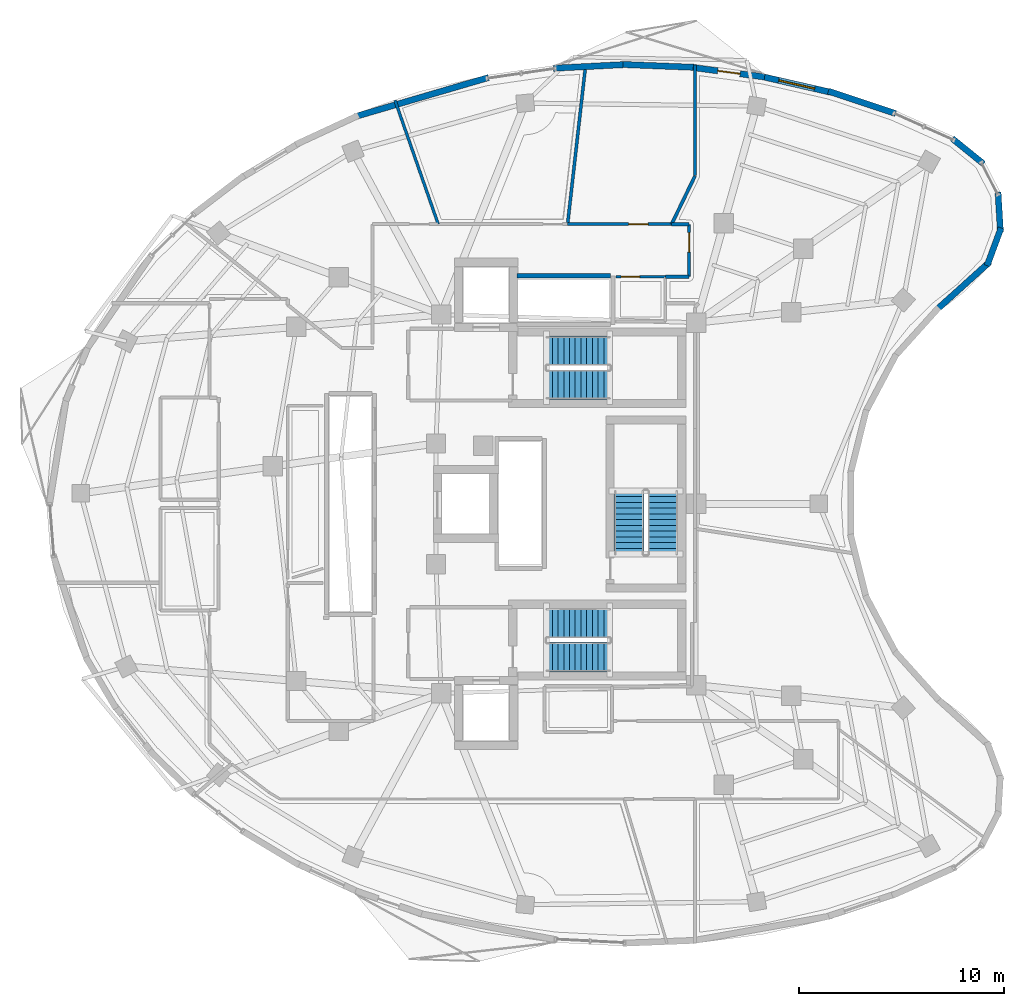
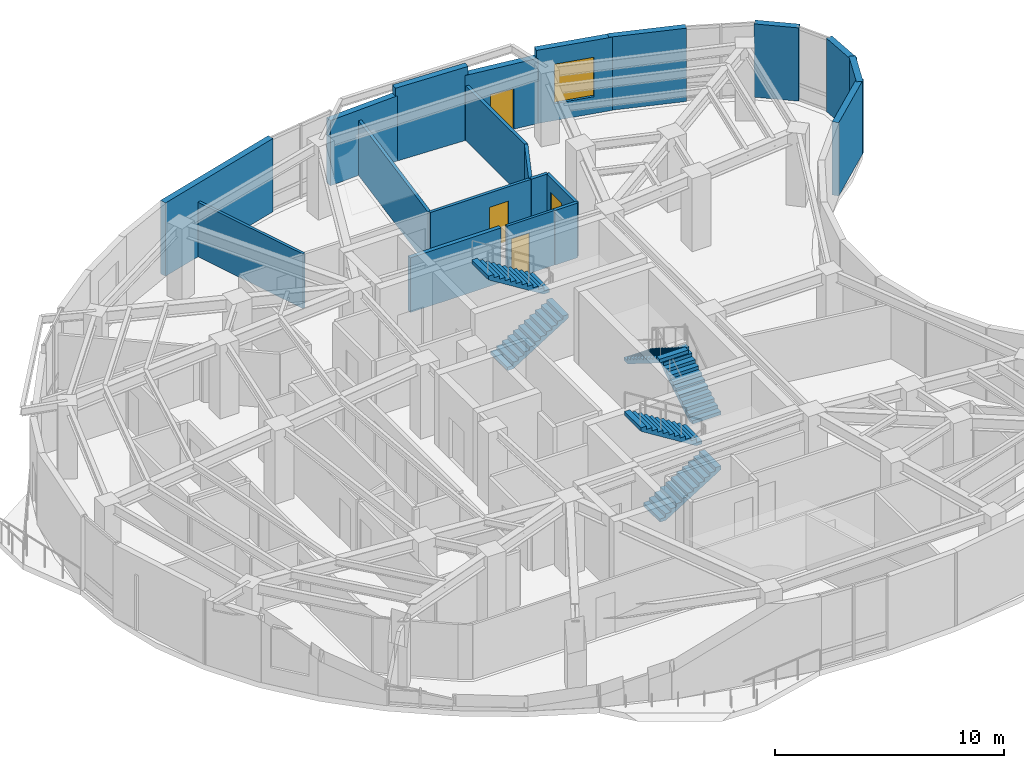
# One storey, part 11 of 14: 20 walls, 6 stair flights, 4 doors, 1 window, 5 openings, 3 elements without a shape of their own.
"""IFC4 building model written with IfcOpenShell, lengths in metres."""

from ifc_helpers import new_model, si_unit, direction, frame, frame_2d, origin, place, context, subcontext, project, spatial, polyline, rectangle, outline, extrude, material, layer, layer_set, type_object, element, fill, aggregate, save


model = new_model("IFC4")

# Units and contexts
model_context = context("Model", 3, precision=1e-05, world=origin(), true_north=direction((0.0, 1.0)))
body_context = subcontext(model_context, "Body", "Model", "MODEL_VIEW")
ifc_project = project(units=[si_unit("LENGTHUNIT", "METRE"), si_unit("AREAUNIT", "SQUARE_METRE"), si_unit("VOLUMEUNIT", "CUBIC_METRE"), si_unit("PLANEANGLEUNIT", "RADIAN"), si_unit("MASSUNIT", "GRAM", prefix="KILO")], contexts=[model_context])

# Site, building, storey
site_placement = place(None, origin())
site = spatial("IfcSite", under=ifc_project, at=site_placement, CompositionType="ELEMENT")
building_placement = place(site_placement, origin())
building = spatial("IfcBuilding", under=site, at=building_placement, Name="Korentha Bioscience Tower", CompositionType="ELEMENT")
storey_placement = place(building_placement, frame((0.0, 0.0, 247.800048828125)))
storey = spatial("IfcBuildingStorey", under=building, at=storey_placement, Name="L57", CompositionType="ELEMENT", Elevation=247.800048828125)

# Wall, opening, door
ifc_material_1 = material(Name="Double-Stud Acoustic Gypsum", Category="gypsum")
ifc_layer_1 = layer(ifc_material_1, 0.14990234375, Name="Double-Stud Acoustic Gypsum")
ifc_layer_set_1 = layer_set([ifc_layer_1], Name="Double-Stud Acoustic Gypsum (IW-L150)")
wall_type_1 = type_object("IfcWallType", Name="Acoustic Laboratory Partition Wall 150", PredefinedType="PARTITIONING", material=ifc_layer_set_1)
wall_1_placement = place(storey_placement, frame((36.34619140625, 40.659912109375, 0.0), z_axis=(0.0, 0.0, 1.0), x_axis=(-1.0, 0.0, 0.0)))
wall_1 = element("IfcWall", 1, at=wall_1_placement, inside=storey, type_object=wall_type_1, Name="L57 Immunology Flow-Cytometry Laboratory 08 Entrance Wall", PredefinedType="PARTITIONING", context=body_context, shape_type="SweptSolid", body=[
    extrude(rectangle(XDim=5.069580078125, YDim=0.14990234375, at=frame_2d((2.53466796875, 0.0))), origin(), (0.0, 0.0, 1.0), 2.909912109375),
])
opening_1_placement = place(wall_1_placement, frame((1.1396484375, 0.0, 0.0)))
opening_1 = element("IfcOpeningElement", 2, at=opening_1_placement, cuts=wall_1, Name="Opening ID-10L", PredefinedType="OPENING", context=body_context, shape_type="SweptSolid", body=[
    extrude(rectangle(XDim=0.949951171875, YDim=2.14990234375, at=frame_2d((0.47509765625, 1.074951171875))), frame((0.0, 0.08984375, 0.0), z_axis=(0.0, -1.0, 0.0), x_axis=(1.0, 0.0, 0.0)), (0.0, 0.0, 1.0), 0.1796875),
])
ifc_material_2 = material(Name="Phenolic Laminate Timber Core", Category="wood")
door_type_1 = type_object("IfcDoorType", Name="Laboratory Single Leaf Door 950x2150 Left", OperationType="SINGLE_SWING_LEFT", PredefinedType="DOOR", material=ifc_material_2)
door_1_placement = place(opening_1_placement, origin())
door_1 = element("IfcDoor", 3, at=door_1_placement, inside=storey, type_object=door_type_1, Name="L57 Immunology Flow-Cytometry Laboratory 08 Door", OperationType="SINGLE_SWING_LEFT", OverallHeight=2.14990234375, OverallWidth=0.949951171875, PredefinedType="DOOR", context=body_context, shape_type="SweptSolid", body=[
    extrude(rectangle(XDim=0.949951171875, YDim=2.14990234375, at=frame_2d((0.47509765625, 1.074951171875))), frame((0.0, 0.02490234375, 0.0), z_axis=(0.0, -1.0, 0.0), x_axis=(1.0, 0.0, 0.0)), (0.0, 0.0, 1.0), 0.050048828125),
])
fill(opening_1, door_1)

# Walls
wall_2_placement = place(storey_placement, frame((31.276611328125, 40.659912109375, 0.0), z_axis=(0.0, 0.0, 1.0), x_axis=(0.112701338023, 0.993628908802, 0.0)))
element("IfcWall", 4, at=wall_2_placement, inside=storey, type_object=wall_type_1, Name="L57 Interior Partition 062", PredefinedType="PARTITIONING", context=body_context, shape_type="SweptSolid", body=[
    extrude(rectangle(XDim=7.861328125, YDim=0.14990234375, at=frame_2d((3.9306640625, 0.0))), origin(), (0.0, 0.0, 1.0), 2.909912109375),
])
ifc_material_3 = material(Name="Insulated Aluminium Honeycomb Panel", Category="aluminium")
ifc_layer_2 = layer(ifc_material_3, 0.139892578125, Name="Insulated Aluminium Honeycomb Panel")
ifc_layer_set_2 = layer_set([ifc_layer_2], Name="Insulated Aluminium Honeycomb Panel (IW-F60)")
wall_type_2 = type_object("IfcWallType", Name="Cleanroom Flush Metal Panel Partition 140", PredefinedType="PARTITIONING", material=ifc_layer_set_2)
wall_3_placement = place(storey_placement, frame((24.958740234375, 40.659912109375, 0.0), z_axis=(0.0, 0.0, 1.0), x_axis=(-0.329537269445, 0.944142567649, 0.0)))
element("IfcWall", 5, at=wall_3_placement, inside=storey, type_object=wall_type_2, Name="L57 Interior Partition 063", PredefinedType="PARTITIONING", context=body_context, shape_type="SweptSolid", body=[
    extrude(rectangle(XDim=6.406982421875, YDim=0.139892578125, at=frame_2d((3.20361328125, 0.0))), origin(), (0.0, 0.0, 1.0), 2.909912109375),
])

# Wall, opening, door
ifc_material_4 = material(Name="Gypsum-Clad Steel Stud", Category="steel")
ifc_layer_3 = layer(ifc_material_4, 0.159912109375, Name="Gypsum-Clad Steel Stud")
ifc_layer_set_3 = layer_set([ifc_layer_3], Name="Gypsum-Clad Steel Stud (IW-C160)")
wall_type_3 = type_object("IfcWallType", Name="Fire-Rated Corridor Partition Wall 160", PredefinedType="PARTITIONING", material=ifc_layer_set_3)
wall_4_placement = place(storey_placement, frame((37.2099609375, 38.10009765625, 0.0), z_axis=(0.0, 0.0, 1.0), x_axis=(0.0, 1.0, 0.0)))
wall_4 = element("IfcWall", 6, at=wall_4_placement, inside=storey, type_object=wall_type_3, Name="L57 Reference Archive Vault 07 Entrance Wall", PredefinedType="PARTITIONING", context=body_context, shape_type="SweptSolid", body=[
    extrude(rectangle(XDim=2.5498046875, YDim=0.159912109375, at=frame_2d((1.27490234375, 0.0))), origin(), (0.0, 0.0, 1.0), 2.909912109375),
])
opening_2_placement = place(wall_4_placement, frame((1.199951171875, 0.0, 0.0)))
opening_2 = element("IfcOpeningElement", 7, at=opening_2_placement, cuts=wall_4, Name="Opening ID-10R", PredefinedType="OPENING", context=body_context, shape_type="SweptSolid", body=[
    extrude(rectangle(XDim=0.949951171875, YDim=2.14990234375, at=frame_2d((0.47509765625, 1.074951171875))), frame((0.0, 0.0947265625, 0.0), z_axis=(0.0, -1.0, 0.0), x_axis=(1.0, 0.0, 0.0)), (0.0, 0.0, 1.0), 0.189697265625),
])
door_type_2 = type_object("IfcDoorType", Name="Laboratory Single Leaf Door 950x2150 Right", OperationType="SINGLE_SWING_RIGHT", PredefinedType="DOOR", material=ifc_material_2)
door_2_placement = place(opening_2_placement, origin())
door_2 = element("IfcDoor", 8, at=door_2_placement, inside=storey, type_object=door_type_2, Name="L57 Reference Archive Vault 07 Door", OperationType="SINGLE_SWING_RIGHT", OverallHeight=2.14990234375, OverallWidth=0.949951171875, PredefinedType="DOOR", context=body_context, shape_type="SweptSolid", body=[
    extrude(rectangle(XDim=0.949951171875, YDim=2.14990234375, at=frame_2d((0.47509765625, 1.074951171875))), frame((0.0, 0.02490234375, 0.0), z_axis=(0.0, -1.0, 0.0), x_axis=(1.0, 0.0, 0.0)), (0.0, 0.0, 1.0), 0.050048828125),
])
fill(opening_2, door_2)

# Walls
wall_5_placement = place(storey_placement, frame((37.501953125, 43.03076171875, 0.0), z_axis=(0.0, 0.0, 1.0), x_axis=(0.0, 1.0, 0.0)))
element("IfcWall", 9, at=wall_5_placement, inside=storey, type_object=wall_type_3, Name="L57 Interior Partition 054", PredefinedType="PARTITIONING", context=body_context, shape_type="SweptSolid", body=[
    extrude(rectangle(XDim=5.402587890625, YDim=0.159912109375, at=frame_2d((2.701171875, 0.0))), origin(), (0.0, 0.0, 1.0), 2.909912109375),
])
wall_6_placement = place(storey_placement, frame((36.06005859375, 38.090087890625, 0.0), z_axis=(0.0, 0.0, 1.0), x_axis=(1.0, 0.0, 0.0)))
element("IfcWall", 10, at=wall_6_placement, inside=storey, type_object=wall_type_3, Name="L57 Interior Partition 059", PredefinedType="PARTITIONING", context=body_context, shape_type="SweptSolid", body=[
    extrude(rectangle(XDim=1.139892578125, YDim=0.159912109375, at=frame_2d((0.56982421875, 0.0))), origin(), (0.0, 0.0, 1.0), 2.909912109375),
])
wall_7_placement = place(storey_placement, frame((37.199951171875, 40.659912109375, 0.0), z_axis=(0.0, 0.0, 1.0), x_axis=(-1.0, 0.0, 0.0)))
element("IfcWall", 11, at=wall_7_placement, inside=storey, type_object=wall_type_3, Name="L57 Interior Partition 060", PredefinedType="PARTITIONING", context=body_context, shape_type="SweptSolid", body=[
    extrude(rectangle(XDim=0.84375, YDim=0.159912109375, at=frame_2d((0.421875, 0.0))), origin(), (0.0, 0.0, 1.0), 2.909912109375),
])
wall_8_placement = place(storey_placement, frame((36.356201171875, 40.659912109375, 0.0), z_axis=(0.0, 0.0, 1.0), x_axis=(0.436465870706, 0.899720814314, 0.0)))
element("IfcWall", 12, at=wall_8_placement, inside=storey, type_object=wall_type_3, Name="L57 Interior Partition 061", PredefinedType="PARTITIONING", context=body_context, shape_type="SweptSolid", body=[
    extrude(rectangle(XDim=2.615478515625, YDim=0.159912109375, at=frame_2d((1.3076171875, 0.0))), origin(), (0.0, 0.0, 1.0), 2.909912109375),
])

# Wall, opening, window
ifc_material_5 = material(Name="Honed Limestone Precast Concrete C40", Category="masonry")
ifc_layer_4 = layer(ifc_material_5, 0.300048828125, Name="Honed Limestone Precast Concrete C40")
ifc_layer_set_4 = layer_set([ifc_layer_4], Name="Honed Limestone Precast Concrete C40 (EW-ST300)")
wall_type_4 = type_object("IfcWallType", Name="Honed Limestone Cavity Spandrel Wall 300", PredefinedType="STANDARD", material=ifc_layer_set_4)
wall_9_placement = place(storey_placement, frame((44.15478515625, 47.093505859375, 0.0), z_axis=(0.0, 0.0, 1.0), x_axis=(-0.974814062394, 0.223019155589, 0.0)))
wall_9 = element("IfcWall", 13, at=wall_9_placement, inside=storey, type_object=wall_type_4, Name="L57 Honed Limestone Spandrel Wall 03", PredefinedType="STANDARD", context=body_context, shape_type="SweptSolid", body=[
    extrude(rectangle(XDim=3.47900390625, YDim=0.300048828125, at=frame_2d((1.739501953125, 0.0))), origin(), (0.0, 0.0, 1.0), 3.89990234375),
])
opening_3_placement = place(wall_9_placement, frame((0.83935546875, 0.0, 0.89990234375)))
opening_3 = element("IfcOpeningElement", 14, at=opening_3_placement, cuts=wall_9, Name="Opening WN-01", PredefinedType="OPENING", context=body_context, shape_type="SweptSolid", body=[
    extrude(rectangle(XDim=1.800048828125, YDim=2.10009765625, at=frame_2d((0.89990234375, 1.050048828125))), frame((0.0, 0.1650390625, 0.0), z_axis=(0.0, -1.0, 0.0), x_axis=(1.0, 0.0, 0.0)), (0.0, 0.0, 1.0), 0.329833984375),
])
ifc_material_6 = material(Name="Thermally Broken Aluminium Triple Glazing", Category="aluminium")
window_type = type_object("IfcWindowType", Name="Triple-Glazed Fixed Bioscience Window 1800x2100", PartitioningType="SINGLE_PANEL", PredefinedType="WINDOW", material=ifc_material_6)
window_placement = place(opening_3_placement, origin())
window = element("IfcWindow", 15, at=window_placement, inside=storey, type_object=window_type, Name="L57 Facade Window 03", OverallHeight=2.10009765625, OverallWidth=1.800048828125, PartitioningType="SINGLE_PANEL", PredefinedType="WINDOW", context=body_context, shape_type="SweptSolid", body=[
    extrude(rectangle(XDim=1.800048828125, YDim=2.10009765625, at=frame_2d((0.89990234375, 1.050048828125))), frame((0.0, 0.030029296875, 0.0), z_axis=(0.0, -1.0, 0.0), x_axis=(1.0, 0.0, 0.0)), (0.0, 0.0, 1.0), 0.06005859375),
])
fill(opening_3, window)

# Wall, opening, door
wall_10_placement = place(storey_placement, frame((40.89599609375, 47.845458984375, 0.0), z_axis=(0.0, 0.0, 1.0), x_axis=(-0.991363126073, 0.131145538481, 0.0)))
wall_10 = element("IfcWall", 16, at=wall_10_placement, inside=storey, type_object=wall_type_4, Name="L57 Balcony Threshold Wall 01", PredefinedType="STANDARD", context=body_context, shape_type="SweptSolid", body=[
    extrude(rectangle(XDim=3.518310546875, YDim=0.300048828125, at=frame_2d((1.75927734375, 0.0))), origin(), (0.0, 0.0, 1.0), 3.469970703125),
])
opening_4_placement = place(wall_10_placement, frame((1.209228515625, 0.0, 0.0)))
opening_4 = element("IfcOpeningElement", 17, at=opening_4_placement, cuts=wall_10, Name="Opening BD-11L", PredefinedType="OPENING", context=body_context, shape_type="SweptSolid", body=[
    extrude(rectangle(XDim=1.10009765625, YDim=2.14990234375, at=frame_2d((0.550048828125, 1.074951171875))), frame((0.0, 0.1650390625, 0.0), z_axis=(0.0, -1.0, 0.0), x_axis=(1.0, 0.0, 0.0)), (0.0, 0.0, 1.0), 0.329833984375),
])
ifc_material_7 = material(Name="Thermally Broken Glazed Aluminium", Category="aluminium")
door_type_3 = type_object("IfcDoorType", Name="Balcony Terrace Glazed Door 1100x2150 Left", OperationType="SINGLE_SWING_LEFT", PredefinedType="DOOR", material=ifc_material_7)
door_3_placement = place(opening_4_placement, origin())
door_3 = element("IfcDoor", 18, at=door_3_placement, inside=storey, type_object=door_type_3, Name="L57 Balcony Access Door 01", OperationType="SINGLE_SWING_LEFT", OverallHeight=2.14990234375, OverallWidth=1.10009765625, PredefinedType="DOOR", context=body_context, shape_type="SweptSolid", body=[
    extrude(rectangle(XDim=1.10009765625, YDim=2.14990234375, at=frame_2d((0.550048828125, 1.074951171875))), frame((0.0, 0.02490234375, 0.0), z_axis=(0.0, -1.0, 0.0), x_axis=(1.0, 0.0, 0.0)), (0.0, 0.0, 1.0), 0.050048828125),
])
fill(opening_4, door_3)

# Walls
wall_11_placement = place(storey_placement, frame((47.2958984375, 46.063232421875, 0.0), z_axis=(0.0, 0.0, 1.0), x_axis=(-0.948915825892, 0.315529325692, 0.0)))
element("IfcWall", 19, at=wall_11_placement, inside=storey, type_object=wall_type_4, Name="L57 Limestone Perimeter Closure Wall 02", PredefinedType="STANDARD", context=body_context, shape_type="SweptSolid", body=[
    extrude(rectangle(XDim=3.4609375, YDim=0.300048828125, at=frame_2d((1.73046875, 0.0))), origin(), (0.0, 0.0, 1.0), 3.89990234375),
])
wall_12_placement = place(storey_placement, frame((37.56298828125, 48.314453125, 0.0), z_axis=(0.0, 0.0, 1.0), x_axis=(-0.999208461954, 0.039780014567, 0.0)))
element("IfcWall", 20, at=wall_12_placement, inside=storey, type_object=wall_type_4, Name="L57 Limestone Perimeter Closure Wall 05", PredefinedType="STANDARD", context=body_context, shape_type="SweptSolid", body=[
    extrude(rectangle(XDim=3.578125, YDim=0.300048828125, at=frame_2d((1.7890625, 0.0))), origin(), (0.0, 0.0, 1.0), 3.89990234375),
])
wall_13_placement = place(storey_placement, frame((34.160400390625, 48.457763671875, 0.0), z_axis=(0.0, 0.0, 1.0), x_axis=(-0.998671230657, -0.051534193093, 0.0)))
element("IfcWall", 21, at=wall_13_placement, inside=storey, type_object=wall_type_4, Name="L57 Limestone Perimeter Closure Wall 06", PredefinedType="STANDARD", context=body_context, shape_type="SweptSolid", body=[
    extrude(rectangle(XDim=3.57666015625, YDim=0.300048828125, at=frame_2d((1.788330078125, 0.0))), origin(), (0.0, 0.0, 1.0), 3.469970703125),
])
wall_14_placement = place(storey_placement, frame((27.417724609375, 47.8203125, 0.0), z_axis=(0.0, 0.0, 1.0), x_axis=(-0.959675502853, -0.281110172749, 0.0)))
element("IfcWall", 22, at=wall_14_placement, inside=storey, type_object=wall_type_4, Name="L57 Limestone Perimeter Closure Wall 08", PredefinedType="STANDARD", context=body_context, shape_type="SweptSolid", body=[
    extrude(rectangle(XDim=6.796875, YDim=0.300048828125, at=frame_2d((3.3984375, 0.0))), origin(), (0.0, 0.0, 1.0), 3.89990234375),
])
wall_15_placement = place(storey_placement, frame((49.299560546875, 36.48388671875, 0.0), z_axis=(0.0, 0.0, 1.0), x_axis=(0.742603888691, 0.669730889612, 0.0)))
element("IfcWall", 23, at=wall_15_placement, inside=storey, type_object=wall_type_4, Name="L57 Limestone Perimeter Closure Wall 57", PredefinedType="STANDARD", context=body_context, shape_type="SweptSolid", body=[
    extrude(rectangle(XDim=3.484130859375, YDim=0.300048828125, at=frame_2d((1.7421875, 0.0))), origin(), (0.0, 0.0, 1.0), 3.89990234375),
])
for number, where, z_axis, x_axis, name in (
    (24, (51.76220703125, 38.633544921875, 0.0), (0.0, 0.0, 1.0), (0.347476023118, 0.9376888681, 0.0), "L57 Limestone Perimeter Closure Wall 59"),
    (25, (52.414306640625, 40.26611328125, 0.0), (0.0, 0.0, 1.0), (-0.060191547909, 0.998186845015, 0.0), "L57 Limestone Perimeter Closure Wall 60"),
):
    element("IfcWall", number, at=place(storey_placement, frame(where, z_axis=z_axis, x_axis=x_axis)), inside=storey, type_object=wall_type_4, Name=name, PredefinedType="STANDARD", context=body_context, shape_type="SweptSolid", body=[
        extrude(rectangle(XDim=1.96728515625, YDim=0.300048828125, at=frame_2d((0.983642578125, 0.0))), origin(), (0.0, 0.0, 1.0), 3.89990234375),
    ])
wall_16_placement = place(storey_placement, frame((51.587890625, 43.606201171875, 0.0), z_axis=(0.0, 0.0, 1.0), x_axis=(-0.777308452477, 0.629119678366, 0.0)))
element("IfcWall", 26, at=wall_16_placement, inside=storey, type_object=wall_type_4, Name="L57 Limestone Perimeter Closure Wall 62", PredefinedType="STANDARD", context=body_context, shape_type="SweptSolid", body=[
    extrude(rectangle(XDim=1.967041015625, YDim=0.300048828125, at=frame_2d((0.9833984375, 0.0))), origin(), (0.0, 0.0, 1.0), 3.89990234375),
])
ifc_material_8 = material(Name="Autoclaved Aerated Concrete Block C25", Category="concrete")
ifc_layer_5 = layer(ifc_material_8, 0.199951171875, Name="Autoclaved Aerated Concrete Block C25")
ifc_layer_set_5 = layer_set([ifc_layer_5], Name="Autoclaved Aerated Concrete Block C25 (IW-S200)")
wall_type_5 = type_object("IfcWallType", Name="Lift and Riser Shaft Enclosure Wall 200", PredefinedType="PARTITIONING", material=ifc_layer_set_5)
wall_17_placement = place(storey_placement, frame((28.800048828125, 38.139892578125, 0.0), z_axis=(0.0, 0.0, 1.0), x_axis=(1.0, 0.0, 0.0)))
element("IfcWall", 27, at=wall_17_placement, inside=storey, type_object=wall_type_5, Name="L57 Lift Bank OBS Shaft Wall +Y", PredefinedType="PARTITIONING", context=body_context, shape_type="SweptSolid", body=[
    extrude(rectangle(XDim=4.570068359375, YDim=0.199951171875, at=frame_2d((2.28515625, 0.0))), origin(), (0.0, 0.0, 1.0), 2.909912109375),
])

# Wall, opening, door
ifc_material_9 = material(Name="Cement-Board Steel Stud", Category="steel")
ifc_layer_6 = layer(ifc_material_9, 0.1298828125, Name="Cement-Board Steel Stud")
ifc_layer_set_6 = layer_set([ifc_layer_6], Name="Cement-Board Steel Stud (IW-W130)")
wall_type_6 = type_object("IfcWallType", Name="Wet-Area Moisture-Resistant Partition 130", PredefinedType="PARTITIONING", material=ifc_layer_set_6)
wall_18_placement = place(storey_placement, frame((33.64990234375, 38.090087890625, 0.0), z_axis=(0.0, 0.0, 1.0), x_axis=(1.0, 0.0, 0.0)))
wall_18 = element("IfcWall", 28, at=wall_18_placement, inside=storey, type_object=wall_type_6, Name="L57 Accessible Staff WC Entrance Wall", PredefinedType="PARTITIONING", context=body_context, shape_type="SweptSolid", body=[
    extrude(rectangle(XDim=2.400146484375, YDim=0.1298828125, at=frame_2d((1.2001953125, 0.0))), origin(), (0.0, 0.0, 1.0), 2.909912109375),
])
opening_5_placement = place(wall_18_placement, frame((0.239990234375, 0.0, 0.0)))
opening_5 = element("IfcOpeningElement", 29, at=opening_5_placement, cuts=wall_18, Name="Opening ID-09L", PredefinedType="OPENING", context=body_context, shape_type="SweptSolid", body=[
    extrude(rectangle(XDim=0.89990234375, YDim=2.14990234375, at=frame_2d((0.449951171875, 1.074951171875))), frame((0.0, 0.079833984375, 0.0), z_axis=(0.0, -1.0, 0.0), x_axis=(1.0, 0.0, 0.0)), (0.0, 0.0, 1.0), 0.15966796875),
])
ifc_material_10 = material(Name="Moisture-Resistant HPL Leaf", Category="wood")
door_type_4 = type_object("IfcDoorType", Name="Restroom & Accessible WC Door 900x2150 Left", OperationType="SINGLE_SWING_LEFT", PredefinedType="DOOR", material=ifc_material_10)
door_4_placement = place(opening_5_placement, origin())
door_4 = element("IfcDoor", 30, at=door_4_placement, inside=storey, type_object=door_type_4, Name="L57 Accessible Staff WC Door", OperationType="SINGLE_SWING_LEFT", OverallHeight=2.14990234375, OverallWidth=0.89990234375, PredefinedType="DOOR", context=body_context, shape_type="SweptSolid", body=[
    extrude(rectangle(XDim=0.89990234375, YDim=2.14990234375, at=frame_2d((0.449951171875, 1.074951171875))), frame((0.0, 0.02490234375, 0.0), z_axis=(0.0, -1.0, 0.0), x_axis=(1.0, 0.0, 0.0)), (0.0, 0.0, 1.0), 0.050048828125),
])
fill(opening_5, door_4)

# Stair, stair flights
ifc_material_11 = material(Name="Precast Concrete C50", Category="concrete")
stair_type = type_object("IfcStairType", Name="Core Exit Dog-Leg Stair 1450", PredefinedType="HALF_TURN_STAIR", material=ifc_material_11)
stair_1_placement = place(storey_placement, origin())
stair_1 = element("IfcStair", 31, at=stair_1_placement, inside=storey, type_object=stair_type, Name="L57 Tower North Pressurized Exit Stair ST-1", PredefinedType="HALF_TURN_STAIR")
stair_flight_type = type_object("IfcStairFlightType", Name="Core Exit Dog-Leg Stair 1450 Flight", PredefinedType="STRAIGHT", material=ifc_material_11)
stair_flight_1_placement = place(storey_placement, frame((30.25, 32.824951171875, 0.0), z_axis=(0.0, 0.0, 1.0), x_axis=(1.0, 0.0, 0.0)))
stair_flight_1 = element("IfcStairFlight", 32, at=stair_flight_1_placement, type_object=stair_flight_type, Name="ST-1 flight 1", NumberOfRisers=12, NumberOfTreads=11, PredefinedType="STRAIGHT", RiserHeight=0.175, TreadLength=0.28, context=body_context, shape_type="SweptSolid", body=[
    extrude(outline(polyline([(0.0, 0.0), (0.0, 0.175048828125), (0.280029296875, 0.175048828125), (0.280029296875, 0.35009765625), (0.56005859375, 0.35009765625), (0.56005859375, 0.52490234375), (0.840087890625, 0.52490234375), (0.840087890625, 0.699951171875), (1.1201171875, 0.699951171875), (1.1201171875, 0.875), (1.39990234375, 0.875), (1.39990234375, 1.050048828125), (1.679931640625, 1.050048828125), (1.679931640625, 1.22509765625), (1.9599609375, 1.22509765625), (1.9599609375, 1.39990234375), (2.239990234375, 1.39990234375), (2.239990234375, 1.574951171875), (2.52001953125, 1.574951171875), (2.52001953125, 1.75), (2.800048828125, 1.75), (2.800048828125, 1.925048828125), (3.080078125, 1.925048828125), (3.080078125, 2.10009765625), (3.080078125, 1.736328125), (0.3017578125, 0.0), (0.0, 0.0)])), frame((0.0, 0.72509765625, 0.0), z_axis=(0.0, -1.0, 0.0), x_axis=(1.0, 0.0, 0.0)), (0.0, 0.0, 1.0), 1.449951171875),
])
stair_flight_2_placement = place(storey_placement, frame((33.330078125, 34.47509765625, 2.099853515625), z_axis=(0.0, 0.0, 1.0), x_axis=(-1.0, 0.0, 0.0)))
stair_flight_2 = element("IfcStairFlight", 33, at=stair_flight_2_placement, type_object=stair_flight_type, Name="ST-1 flight 2", NumberOfRisers=12, NumberOfTreads=11, PredefinedType="STRAIGHT", RiserHeight=0.175, TreadLength=0.28, context=body_context, shape_type="SweptSolid", body=[
    extrude(outline(polyline([(0.0, 0.0), (0.0, 0.175048828125), (0.280029296875, 0.175048828125), (0.280029296875, 0.35009765625), (0.56005859375, 0.35009765625), (0.56005859375, 0.52490234375), (0.840087890625, 0.52490234375), (0.840087890625, 0.699951171875), (1.1201171875, 0.699951171875), (1.1201171875, 0.875), (1.39990234375, 0.875), (1.39990234375, 1.050048828125), (1.679931640625, 1.050048828125), (1.679931640625, 1.22509765625), (1.9599609375, 1.22509765625), (1.9599609375, 1.39990234375), (2.239990234375, 1.39990234375), (2.239990234375, 1.574951171875), (2.52001953125, 1.574951171875), (2.52001953125, 1.75), (2.800048828125, 1.75), (2.800048828125, 1.925048828125), (3.080078125, 1.925048828125), (3.080078125, 2.10009765625), (3.080078125, 1.736328125), (0.3017578125, 0.0), (0.0, 0.0)])), frame((0.0, 0.72509765625, 0.0), z_axis=(0.0, -1.0, 0.0), x_axis=(1.0, 0.0, 0.0)), (0.0, 0.0, 1.0), 1.449951171875),
])
aggregate(stair_1, [stair_flight_1, stair_flight_2])

stair_2_placement = place(storey_placement, origin())
stair_2 = element("IfcStair", 34, at=stair_2_placement, inside=storey, type_object=stair_type, Name="L57 Tower South Pressurized Exit Stair ST-2", PredefinedType="HALF_TURN_STAIR")
stair_flight_3_placement = place(storey_placement, frame((30.25, 19.52490234375, 0.0), z_axis=(0.0, 0.0, 1.0), x_axis=(1.0, 0.0, 0.0)))
stair_flight_3 = element("IfcStairFlight", 35, at=stair_flight_3_placement, type_object=stair_flight_type, Name="ST-2 flight 1", NumberOfRisers=12, NumberOfTreads=11, PredefinedType="STRAIGHT", RiserHeight=0.175, TreadLength=0.28, context=body_context, shape_type="SweptSolid", body=[
    extrude(outline(polyline([(0.0, 0.0), (0.0, 0.175048828125), (0.280029296875, 0.175048828125), (0.280029296875, 0.35009765625), (0.56005859375, 0.35009765625), (0.56005859375, 0.52490234375), (0.840087890625, 0.52490234375), (0.840087890625, 0.699951171875), (1.1201171875, 0.699951171875), (1.1201171875, 0.875), (1.39990234375, 0.875), (1.39990234375, 1.050048828125), (1.679931640625, 1.050048828125), (1.679931640625, 1.22509765625), (1.9599609375, 1.22509765625), (1.9599609375, 1.39990234375), (2.239990234375, 1.39990234375), (2.239990234375, 1.574951171875), (2.52001953125, 1.574951171875), (2.52001953125, 1.75), (2.800048828125, 1.75), (2.800048828125, 1.925048828125), (3.080078125, 1.925048828125), (3.080078125, 2.10009765625), (3.080078125, 1.736328125), (0.3017578125, 0.0), (0.0, 0.0)])), frame((0.0, 0.72509765625, 0.0), z_axis=(0.0, -1.0, 0.0), x_axis=(1.0, 0.0, 0.0)), (0.0, 0.0, 1.0), 1.449951171875),
])
stair_flight_4_placement = place(storey_placement, frame((33.330078125, 21.175048828125, 2.099853515625), z_axis=(0.0, 0.0, 1.0), x_axis=(-1.0, 0.0, 0.0)))
stair_flight_4 = element("IfcStairFlight", 36, at=stair_flight_4_placement, type_object=stair_flight_type, Name="ST-2 flight 2", NumberOfRisers=12, NumberOfTreads=11, PredefinedType="STRAIGHT", RiserHeight=0.175, TreadLength=0.28, context=body_context, shape_type="SweptSolid", body=[
    extrude(outline(polyline([(0.0, 0.0), (0.0, 0.175048828125), (0.280029296875, 0.175048828125), (0.280029296875, 0.35009765625), (0.56005859375, 0.35009765625), (0.56005859375, 0.52490234375), (0.840087890625, 0.52490234375), (0.840087890625, 0.699951171875), (1.1201171875, 0.699951171875), (1.1201171875, 0.875), (1.39990234375, 0.875), (1.39990234375, 1.050048828125), (1.679931640625, 1.050048828125), (1.679931640625, 1.22509765625), (1.9599609375, 1.22509765625), (1.9599609375, 1.39990234375), (2.239990234375, 1.39990234375), (2.239990234375, 1.574951171875), (2.52001953125, 1.574951171875), (2.52001953125, 1.75), (2.800048828125, 1.75), (2.800048828125, 1.925048828125), (3.080078125, 1.925048828125), (3.080078125, 2.10009765625), (3.080078125, 1.736328125), (0.3017578125, 0.0), (0.0, 0.0)])), frame((0.0, 0.72509765625, 0.0), z_axis=(0.0, -1.0, 0.0), x_axis=(1.0, 0.0, 0.0)), (0.0, 0.0, 1.0), 1.449951171875),
])
aggregate(stair_2, [stair_flight_3, stair_flight_4])

stair_3_placement = place(storey_placement, origin())
stair_3 = element("IfcStair", 37, at=stair_3_placement, inside=storey, type_object=stair_type, Name="L57 Tower Central Pressurized Exit Stair ST-3", PredefinedType="HALF_TURN_STAIR")
stair_flight_5_placement = place(storey_placement, frame((35.925048828125, 24.550048828125, 0.0), z_axis=(0.0, 0.0, 1.0), x_axis=(0.0, 1.0, 0.0)))
stair_flight_5 = element("IfcStairFlight", 38, at=stair_flight_5_placement, type_object=stair_flight_type, Name="ST-3 flight 1", NumberOfRisers=12, NumberOfTreads=11, PredefinedType="STRAIGHT", RiserHeight=0.175, TreadLength=0.28, context=body_context, shape_type="SweptSolid", body=[
    extrude(outline(polyline([(0.0, 0.0), (0.0, 0.175048828125), (0.280029296875, 0.175048828125), (0.280029296875, 0.35009765625), (0.56005859375, 0.35009765625), (0.56005859375, 0.52490234375), (0.840087890625, 0.52490234375), (0.840087890625, 0.699951171875), (1.1201171875, 0.699951171875), (1.1201171875, 0.875), (1.39990234375, 0.875), (1.39990234375, 1.050048828125), (1.679931640625, 1.050048828125), (1.679931640625, 1.22509765625), (1.9599609375, 1.22509765625), (1.9599609375, 1.39990234375), (2.239990234375, 1.39990234375), (2.239990234375, 1.574951171875), (2.52001953125, 1.574951171875), (2.52001953125, 1.75), (2.800048828125, 1.75), (2.800048828125, 1.925048828125), (3.080078125, 1.925048828125), (3.080078125, 2.10009765625), (3.080078125, 1.736328125), (0.3017578125, 0.0), (0.0, 0.0)])), frame((0.0, 0.72509765625, 0.0), z_axis=(0.0, -1.0, 0.0), x_axis=(1.0, 0.0, 0.0)), (0.0, 0.0, 1.0), 1.449951171875),
])
stair_flight_6_placement = place(storey_placement, frame((34.27490234375, 27.6298828125, 2.099853515625), z_axis=(0.0, 0.0, 1.0), x_axis=(0.0, -1.0, 0.0)))
stair_flight_6 = element("IfcStairFlight", 39, at=stair_flight_6_placement, type_object=stair_flight_type, Name="ST-3 flight 2", NumberOfRisers=12, NumberOfTreads=11, PredefinedType="STRAIGHT", RiserHeight=0.175, TreadLength=0.28, context=body_context, shape_type="SweptSolid", body=[
    extrude(outline(polyline([(0.0, 0.0), (0.0, 0.175048828125), (0.280029296875, 0.175048828125), (0.280029296875, 0.35009765625), (0.56005859375, 0.35009765625), (0.56005859375, 0.52490234375), (0.840087890625, 0.52490234375), (0.840087890625, 0.699951171875), (1.1201171875, 0.699951171875), (1.1201171875, 0.875), (1.39990234375, 0.875), (1.39990234375, 1.050048828125), (1.679931640625, 1.050048828125), (1.679931640625, 1.22509765625), (1.9599609375, 1.22509765625), (1.9599609375, 1.39990234375), (2.239990234375, 1.39990234375), (2.239990234375, 1.574951171875), (2.52001953125, 1.574951171875), (2.52001953125, 1.75), (2.800048828125, 1.75), (2.800048828125, 1.925048828125), (3.080078125, 1.925048828125), (3.080078125, 2.10009765625), (3.080078125, 1.736328125), (0.3017578125, 0.0), (0.0, 0.0)])), frame((0.0, 0.72509765625, 0.0), z_axis=(0.0, -1.0, 0.0), x_axis=(1.0, 0.0, 0.0)), (0.0, 0.0, 1.0), 1.449951171875),
])
aggregate(stair_3, [stair_flight_5, stair_flight_6])

save(model, "model.ifc")
